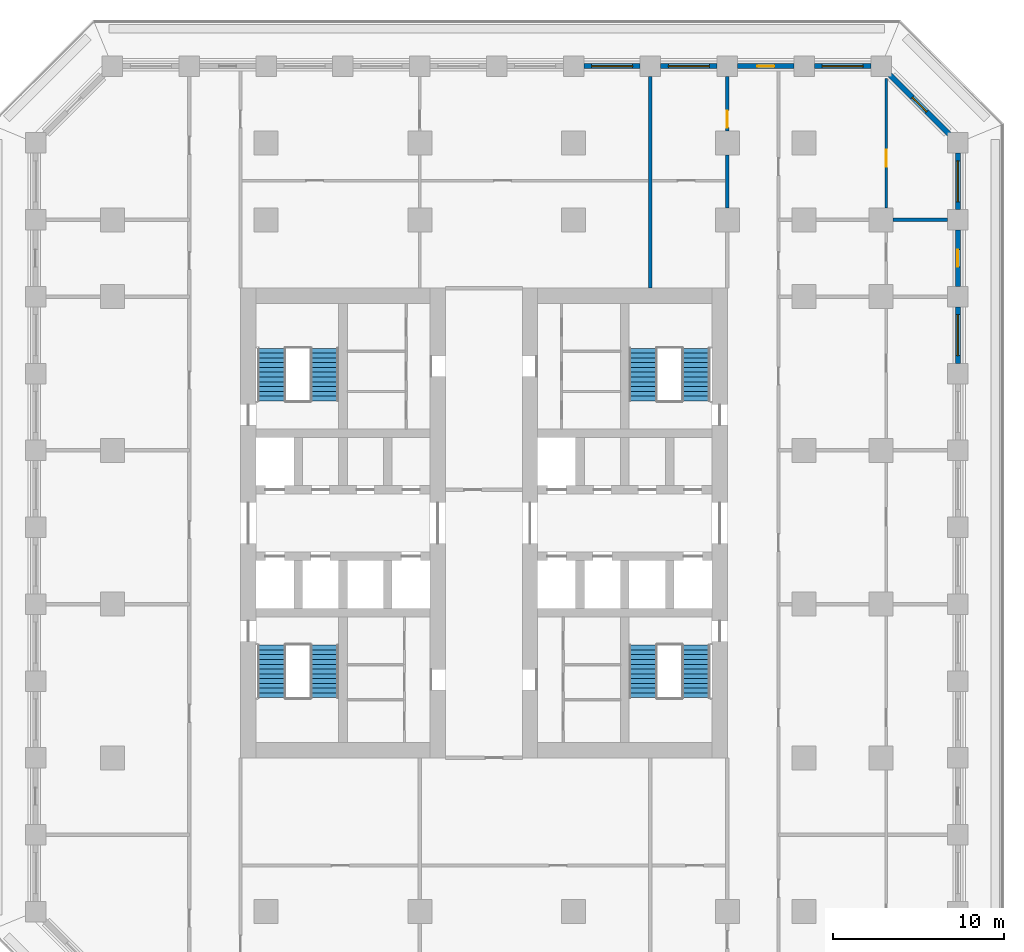
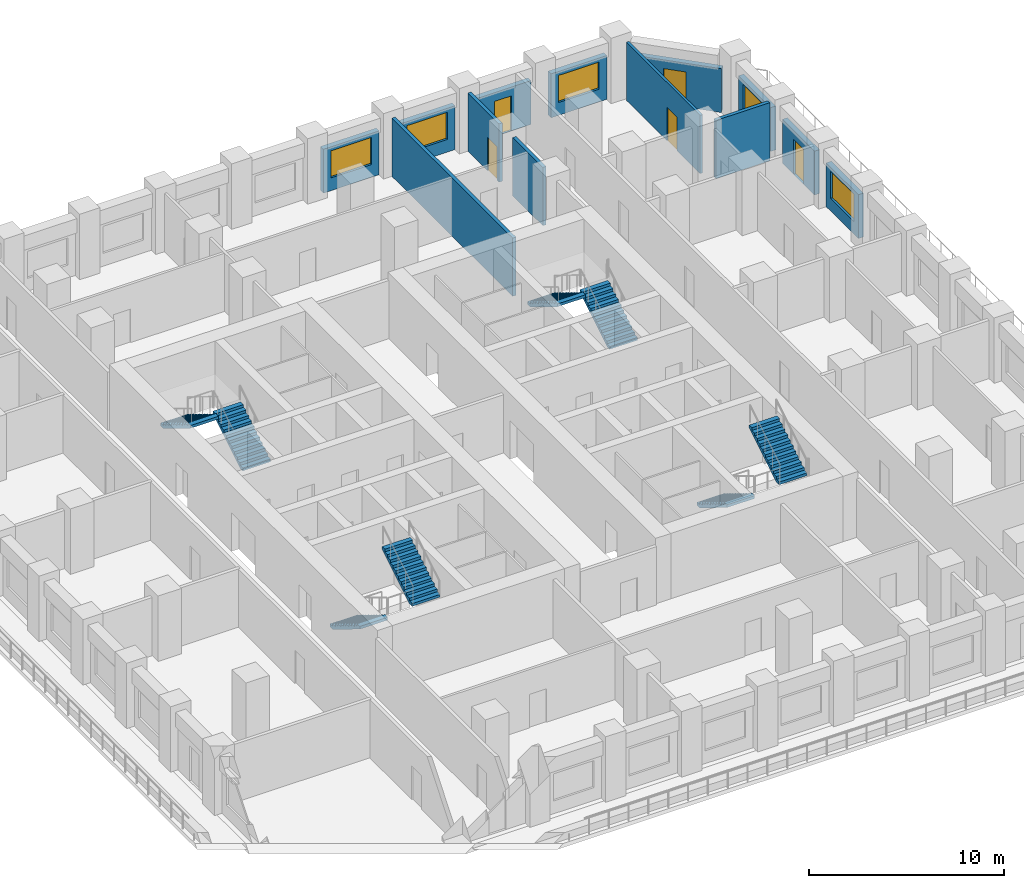
# One storey, part 8 of 17: 13 walls, 8 stair flights, 5 doors, 5 windows, 10 openings, 4 elements without a shape of their own.
"""IFC4 building model written with IfcOpenShell, lengths in metres."""

from ifc_helpers import new_model, si_unit, direction, frame, frame_2d, origin, place, context, subcontext, project, spatial, polyline, rectangle, outline, extrude, material, layer, layer_set, type_object, element, fill, aggregate, save


model = new_model("IFC4")

# Units and contexts
model_context = context("Model", 3, precision=1e-05, world=origin(), true_north=direction((0.0, 1.0)))
body_context = subcontext(model_context, "Body", "Model", "MODEL_VIEW")
ifc_project = project(units=[si_unit("LENGTHUNIT", "METRE"), si_unit("AREAUNIT", "SQUARE_METRE"), si_unit("VOLUMEUNIT", "CUBIC_METRE"), si_unit("PLANEANGLEUNIT", "RADIAN"), si_unit("MASSUNIT", "GRAM", prefix="KILO")], contexts=[model_context])

# Site, building, storey
site_placement = place(None, origin())
site = spatial("IfcSite", under=ifc_project, at=site_placement, CompositionType="ELEMENT")
building_placement = place(site_placement, origin())
building = spatial("IfcBuilding", under=site, at=building_placement, Name="Corbel Stack Research Tower", CompositionType="ELEMENT")
storey_placement = place(building_placement, frame((0.0, 0.0, 86.10009765625)))
storey = spatial("IfcBuildingStorey", under=building, at=storey_placement, Name="L19", CompositionType="ELEMENT", Elevation=86.10009765625)

# Walls
ifc_material_1 = material(Name="Fire-rated gypsum board partition on steel studs", Category="steel")
ifc_layer_1 = layer(ifc_material_1, 0.199951171875)
ifc_layer_set_1 = layer_set([ifc_layer_1], Name="Fire-rated gypsum board partition on steel studs")
wall_type_1 = type_object("IfcWallType", Name="Fire-rated partition 200 EI 60", PredefinedType="PARTITIONING", material=ifc_layer_set_1)
wall_1_placement = place(storey_placement, frame((13.5, 18.5, 0.0), z_axis=(0.0, 0.0, 1.0), x_axis=(0.0, 1.0, 0.0)))
element("IfcWall", 1, at=wall_1_placement, inside=storey, type_object=wall_type_1, Name="Partition L19-010", PredefinedType="PARTITIONING", context=body_context, shape_type="SweptSolid", body=[
    extrude(rectangle(XDim=12.39990234375, YDim=0.199951171875, at=frame_2d((6.199951171875, 0.0))), origin(), (0.0, 0.0, 1.0), 3.64990234375),
])
wall_2_placement = place(storey_placement, frame((18.0, 23.199951171875, 0.0), z_axis=(0.0, 0.0, 1.0), x_axis=(0.0, 1.0, 0.0)))
element("IfcWall", 2, at=wall_2_placement, inside=storey, type_object=wall_type_1, Name="Partition L19-014", PredefinedType="PARTITIONING", context=body_context, shape_type="SweptSolid", body=[
    extrude(rectangle(XDim=3.10009765625, YDim=0.199951171875, at=frame_2d((1.550048828125, 0.0))), origin(), (0.0, 0.0, 1.0), 3.64990234375),
])

# Wall, opening, door
wall_3_placement = place(storey_placement, frame((18.0, 27.699951171875, 0.0), z_axis=(0.0, 0.0, 1.0), x_axis=(0.0, 1.0, 0.0)))
wall_3 = element("IfcWall", 3, at=wall_3_placement, inside=storey, type_object=wall_type_1, Name="Partition L19-015", PredefinedType="PARTITIONING", context=body_context, shape_type="SweptSolid", body=[
    extrude(rectangle(XDim=3.199951171875, YDim=0.199951171875, at=frame_2d((1.60009765625, 0.0))), origin(), (0.0, 0.0, 1.0), 3.64990234375),
])
opening_1_placement = place(wall_3_placement, frame((0.199951171875, 0.0, 0.0)))
opening_1 = element("IfcOpeningElement", 4, at=opening_1_placement, cuts=wall_3, Name="Opening B3V1-016", PredefinedType="OPENING", context=body_context, shape_type="SweptSolid", body=[
    extrude(rectangle(XDim=1.0, YDim=2.10009765625, at=frame_2d((0.5, 1.050048828125))), frame((0.0, 0.10986328125, 0.0), z_axis=(0.0, -1.0, 0.0), x_axis=(1.0, 0.0, 0.0)), (0.0, 0.0, 1.0), 0.219970703125),
])
ifc_material_2 = material(Name="Painted steel fire door", Category="steel")
door_type_1 = type_object("IfcDoorType", Name="Fire door FD30S 1000 x 2100", OperationType="NOTDEFINED", PredefinedType="DOOR", material=ifc_material_2)
door_1_placement = place(opening_1_placement, origin())
door_1 = element("IfcDoor", 5, at=door_1_placement, inside=storey, type_object=door_type_1, Name="Door B3V1-016", OperationType="SINGLE_SWING_LEFT", OverallHeight=2.10009765625, OverallWidth=1.0, PredefinedType="DOOR", context=body_context, shape_type="SweptSolid", body=[
    extrude(rectangle(XDim=1.0, YDim=2.10009765625, at=frame_2d((0.5, 1.050048828125))), frame((0.0, 0.02490234375, 0.0), z_axis=(0.0, -1.0, 0.0), x_axis=(1.0, 0.0, 0.0)), (0.0, 0.0, 1.0), 0.050048828125),
])
fill(opening_1, door_1)

# Wall
wall_4_placement = place(storey_placement, frame((27.699951171875, 22.5, 0.0), z_axis=(0.0, 0.0, 1.0), x_axis=(1.0, 0.0, 0.0)))
element("IfcWall", 6, at=wall_4_placement, inside=storey, type_object=wall_type_1, Name="Partition L19-048", PredefinedType="PARTITIONING", context=body_context, shape_type="SweptSolid", body=[
    extrude(rectangle(XDim=3.199951171875, YDim=0.199951171875, at=frame_2d((1.60009765625, 0.0))), origin(), (0.0, 0.0, 1.0), 3.64990234375),
])

# Wall, opening, door
ifc_material_3 = material(Name="Gypsum board partition on steel studs", Category="steel")
ifc_layer_2 = layer(ifc_material_3, 0.14990234375)
ifc_layer_set_2 = layer_set([ifc_layer_2], Name="Gypsum board partition on steel studs")
wall_type_2 = type_object("IfcWallType", Name="Partition 150", PredefinedType="PARTITIONING", material=ifc_layer_set_2)
wall_5_placement = place(storey_placement, frame((27.300048828125, 30.777099609375, 0.0), z_axis=(0.0, 0.0, 1.0), x_axis=(0.0, -1.0, 0.0)))
wall_5 = element("IfcWall", 7, at=wall_5_placement, inside=storey, type_object=wall_type_2, Name="Partition L19-022", PredefinedType="PARTITIONING", context=body_context, shape_type="SweptSolid", body=[
    extrude(rectangle(XDim=7.5771484375, YDim=0.14990234375, at=frame_2d((3.78857421875, 0.0))), origin(), (0.0, 0.0, 1.0), 3.64990234375),
])
opening_2_placement = place(wall_5_placement, frame((4.17724609375, 0.0, 0.0)))
opening_2 = element("IfcOpeningElement", 8, at=opening_2_placement, cuts=wall_5, Name="Opening B3V1-031", PredefinedType="OPENING", context=body_context, shape_type="SweptSolid", body=[
    extrude(rectangle(XDim=1.0, YDim=2.10009765625, at=frame_2d((0.5, 1.050048828125))), frame((0.0, 0.0849609375, 0.0), z_axis=(0.0, -1.0, 0.0), x_axis=(1.0, 0.0, 0.0)), (0.0, 0.0, 1.0), 0.169921875),
])
ifc_material_4 = material(Name="Painted timber door", Category="wood")
door_type_2 = type_object("IfcDoorType", Name="Single door 1000 x 2100", OperationType="NOTDEFINED", PredefinedType="DOOR", material=ifc_material_4)
door_2_placement = place(opening_2_placement, origin())
door_2 = element("IfcDoor", 9, at=door_2_placement, inside=storey, type_object=door_type_2, Name="Door B3V1-031", OperationType="SINGLE_SWING_RIGHT", OverallHeight=2.10009765625, OverallWidth=1.0, PredefinedType="DOOR", context=body_context, shape_type="SweptSolid", body=[
    extrude(rectangle(XDim=1.0, YDim=2.10009765625, at=frame_2d((0.5, 1.050048828125))), frame((0.0, 0.02490234375, 0.0), z_axis=(0.0, -1.0, 0.0), x_axis=(1.0, 0.0, 0.0)), (0.0, 0.0, 1.0), 0.050048828125),
])
fill(opening_2, door_2)

# Wall, opening, window
ifc_material_5 = material(Name="Concrete C45/55", Category="concrete")
ifc_layer_3 = layer(ifc_material_5, 0.300048828125)
ifc_layer_set_3 = layer_set([ifc_layer_3], Name="Concrete C45/55")
wall_type_3 = type_object("IfcWallType", Name="Terracotta-faced concrete wall 300", PredefinedType="SOLIDWALL", material=ifc_layer_set_3)
wall_6_placement = place(storey_placement, frame((31.5, 17.39990234375, 0.0), z_axis=(0.0, 0.0, 1.0), x_axis=(0.0, -1.0, 0.0)))
wall_6 = element("IfcWall", 10, at=wall_6_placement, inside=storey, type_object=wall_type_3, Name="Facade wall L19 E08", PredefinedType="SOLIDWALL", context=body_context, shape_type="SweptSolid", body=[
    extrude(rectangle(XDim=3.2998046875, YDim=0.300048828125, at=frame_2d((1.64990234375, 0.0))), origin(), (0.0, 0.0, 1.0), 2.75),
])
opening_3_placement = place(wall_6_placement, frame((0.449951171875, 0.0, 0.800048828125)))
opening_3 = element("IfcOpeningElement", 11, at=opening_3_placement, cuts=wall_6, Name="Opening W1", PredefinedType="OPENING", context=body_context, shape_type="SweptSolid", body=[
    extrude(rectangle(XDim=2.39990234375, YDim=1.699951171875, at=frame_2d((1.199951171875, 0.85009765625))), frame((0.0, 0.159912109375, 0.0), z_axis=(0.0, -1.0, 0.0), x_axis=(1.0, 0.0, 0.0)), (0.0, 0.0, 1.0), 0.320068359375),
])
ifc_material_6 = material(Name="Aluminium frame, clear double glazing", Category="aluminium")
window_type = type_object("IfcWindowType", Name="Window W1 2400 x 1700", PartitioningType="SINGLE_PANEL", PredefinedType="WINDOW", material=ifc_material_6)
window_1_placement = place(opening_3_placement, origin())
window_1 = element("IfcWindow", 12, at=window_1_placement, inside=storey, type_object=window_type, Name="Window W1 L19 E08", OverallHeight=1.699951171875, OverallWidth=2.39990234375, PartitioningType="SINGLE_PANEL", PredefinedType="WINDOW", context=body_context, shape_type="SweptSolid", body=[
    extrude(rectangle(XDim=2.39990234375, YDim=1.699951171875, at=frame_2d((1.199951171875, 0.85009765625))), frame((0.0, 0.030029296875, 0.0), z_axis=(0.0, -1.0, 0.0), x_axis=(1.0, 0.0, 0.0)), (0.0, 0.0, 1.0), 0.06005859375),
])
fill(opening_3, window_1)

# Wall, opening, door
wall_7_placement = place(storey_placement, frame((31.5, 21.89990234375, 0.0), z_axis=(0.0, 0.0, 1.0), x_axis=(0.0, -1.0, 0.0)))
wall_7 = element("IfcWall", 13, at=wall_7_placement, inside=storey, type_object=wall_type_3, Name="Facade wall L19 E09", PredefinedType="SOLIDWALL", context=body_context, shape_type="SweptSolid", body=[
    extrude(rectangle(XDim=3.2998046875, YDim=0.300048828125, at=frame_2d((1.64990234375, 0.0))), origin(), (0.0, 0.0, 1.0), 2.75),
])
opening_4_placement = place(wall_7_placement, frame((1.14990234375, 0.0, 0.0)))
opening_4 = element("IfcOpeningElement", 14, at=opening_4_placement, cuts=wall_7, Name="Opening L19-B05", PredefinedType="OPENING", context=body_context, shape_type="SweptSolid", body=[
    extrude(rectangle(XDim=1.0, YDim=2.199951171875, at=frame_2d((0.5, 1.10009765625))), frame((0.0, 0.159912109375, 0.0), z_axis=(0.0, -1.0, 0.0), x_axis=(1.0, 0.0, 0.0)), (0.0, 0.0, 1.0), 0.320068359375),
])
ifc_material_7 = material(Name="Aluminium frame, clear double glazing", Category="aluminium")
door_type_3 = type_object("IfcDoorType", Name="Balcony door BD1 1000 x 2200", OperationType="NOTDEFINED", PredefinedType="DOOR", material=ifc_material_7)
door_3_placement = place(opening_4_placement, origin())
door_3 = element("IfcDoor", 15, at=door_3_placement, inside=storey, type_object=door_type_3, Name="Balcony door L19-B05", OperationType="SINGLE_SWING_RIGHT", OverallHeight=2.199951171875, OverallWidth=1.0, PredefinedType="DOOR", context=body_context, shape_type="SweptSolid", body=[
    extrude(rectangle(XDim=1.0, YDim=2.199951171875, at=frame_2d((0.5, 1.10009765625))), frame((0.0, 0.02490234375, 0.0), z_axis=(0.0, -1.0, 0.0), x_axis=(1.0, 0.0, 0.0)), (0.0, 0.0, 1.0), 0.050048828125),
])
fill(opening_4, door_3)

# Wall, opening, window
wall_8_placement = place(storey_placement, frame((31.5, 26.39990234375, 0.0), z_axis=(0.0, 0.0, 1.0), x_axis=(0.0, -1.0, 0.0)))
wall_8 = element("IfcWall", 16, at=wall_8_placement, inside=storey, type_object=wall_type_3, Name="Facade wall L19 E10", PredefinedType="SOLIDWALL", context=body_context, shape_type="SweptSolid", body=[
    extrude(rectangle(XDim=3.2998046875, YDim=0.300048828125, at=frame_2d((1.64990234375, 0.0))), origin(), (0.0, 0.0, 1.0), 2.75),
])
opening_5_placement = place(wall_8_placement, frame((0.449951171875, 0.0, 0.800048828125)))
opening_5 = element("IfcOpeningElement", 17, at=opening_5_placement, cuts=wall_8, Name="Opening W1", PredefinedType="OPENING", context=body_context, shape_type="SweptSolid", body=[
    extrude(rectangle(XDim=2.39990234375, YDim=1.699951171875, at=frame_2d((1.199951171875, 0.85009765625))), frame((0.0, 0.159912109375, 0.0), z_axis=(0.0, -1.0, 0.0), x_axis=(1.0, 0.0, 0.0)), (0.0, 0.0, 1.0), 0.320068359375),
])
window_2_placement = place(opening_5_placement, origin())
window_2 = element("IfcWindow", 18, at=window_2_placement, inside=storey, type_object=window_type, Name="Window W1 L19 E10", OverallHeight=1.699951171875, OverallWidth=2.39990234375, PartitioningType="SINGLE_PANEL", PredefinedType="WINDOW", context=body_context, shape_type="SweptSolid", body=[
    extrude(rectangle(XDim=2.39990234375, YDim=1.699951171875, at=frame_2d((1.199951171875, 0.85009765625))), frame((0.0, 0.030029296875, 0.0), z_axis=(0.0, -1.0, 0.0), x_axis=(1.0, 0.0, 0.0)), (0.0, 0.0, 1.0), 0.06005859375),
])
fill(opening_5, window_2)

# Wall, opening, door
wall_9_placement = place(storey_placement, frame((27.493896484375, 31.006103515625, 0.0), z_axis=(0.0, 0.0, 1.0), x_axis=(0.707106781187, -0.707106781187, 0.0)))
wall_9 = element("IfcWall", 19, at=wall_9_placement, inside=storey, type_object=wall_type_3, Name="Facade wall L19 NE01", PredefinedType="SOLIDWALL", context=body_context, shape_type="SweptSolid", body=[
    extrude(rectangle(XDim=4.967041015625, YDim=0.300048828125, at=frame_2d((2.4833984375, 0.0))), origin(), (0.0, 0.0, 1.0), 2.75),
])
opening_6_placement = place(wall_9_placement, frame((1.883544921875, 0.0, 0.0)))
opening_6 = element("IfcOpeningElement", 20, at=opening_6_placement, cuts=wall_9, Name="Opening L19-B06", PredefinedType="OPENING", context=body_context, shape_type="SweptSolid", body=[
    extrude(rectangle(XDim=1.199951171875, YDim=2.199951171875, at=frame_2d((0.60009765625, 1.10009765625))), frame((0.0, 0.159912109375, 0.0), z_axis=(0.0, -1.0, 0.0), x_axis=(1.0, 0.0, 0.0)), (0.0, 0.0, 1.0), 0.320068359375),
])
ifc_material_8 = material(Name="Aluminium frame, clear double glazing", Category="aluminium")
door_type_4 = type_object("IfcDoorType", Name="Balcony door BD2 1200 x 2200", OperationType="NOTDEFINED", PredefinedType="DOOR", material=ifc_material_8)
door_4_placement = place(opening_6_placement, origin())
door_4 = element("IfcDoor", 21, at=door_4_placement, inside=storey, type_object=door_type_4, Name="Balcony door L19-B06", OperationType="SINGLE_SWING_RIGHT", OverallHeight=2.199951171875, OverallWidth=1.199951171875, PredefinedType="DOOR", context=body_context, shape_type="SweptSolid", body=[
    extrude(rectangle(XDim=1.199951171875, YDim=2.199951171875, at=frame_2d((0.60009765625, 1.10009765625))), frame((0.0, 0.02490234375, 0.0), z_axis=(0.0, -1.0, 0.0), x_axis=(1.0, 0.0, 0.0)), (0.0, 0.0, 1.0), 0.050048828125),
])
fill(opening_6, door_4)

# Wall, opening, window
wall_10_placement = place(storey_placement, frame((23.10009765625, 31.5, 0.0), z_axis=(0.0, 0.0, 1.0), x_axis=(1.0, 0.0, 0.0)))
wall_10 = element("IfcWall", 22, at=wall_10_placement, inside=storey, type_object=wall_type_3, Name="Facade wall L19 N01", PredefinedType="SOLIDWALL", context=body_context, shape_type="SweptSolid", body=[
    extrude(rectangle(XDim=3.2998046875, YDim=0.300048828125, at=frame_2d((1.64990234375, 0.0))), origin(), (0.0, 0.0, 1.0), 2.75),
])
opening_7_placement = place(wall_10_placement, frame((0.449951171875, 0.0, 0.800048828125)))
opening_7 = element("IfcOpeningElement", 23, at=opening_7_placement, cuts=wall_10, Name="Opening W1", PredefinedType="OPENING", context=body_context, shape_type="SweptSolid", body=[
    extrude(rectangle(XDim=2.39990234375, YDim=1.699951171875, at=frame_2d((1.199951171875, 0.85009765625))), frame((0.0, 0.159912109375, 0.0), z_axis=(0.0, -1.0, 0.0), x_axis=(1.0, 0.0, 0.0)), (0.0, 0.0, 1.0), 0.320068359375),
])
window_3_placement = place(opening_7_placement, origin())
window_3 = element("IfcWindow", 24, at=window_3_placement, inside=storey, type_object=window_type, Name="Window W1 L19 N01", OverallHeight=1.699951171875, OverallWidth=2.39990234375, PartitioningType="SINGLE_PANEL", PredefinedType="WINDOW", context=body_context, shape_type="SweptSolid", body=[
    extrude(rectangle(XDim=2.39990234375, YDim=1.699951171875, at=frame_2d((1.199951171875, 0.85009765625))), frame((0.0, 0.030029296875, 0.0), z_axis=(0.0, -1.0, 0.0), x_axis=(1.0, 0.0, 0.0)), (0.0, 0.0, 1.0), 0.06005859375),
])
fill(opening_7, window_3)

# Wall, opening, door
wall_11_placement = place(storey_placement, frame((18.60009765625, 31.5, 0.0), z_axis=(0.0, 0.0, 1.0), x_axis=(1.0, 0.0, 0.0)))
wall_11 = element("IfcWall", 25, at=wall_11_placement, inside=storey, type_object=wall_type_3, Name="Facade wall L19 N02", PredefinedType="SOLIDWALL", context=body_context, shape_type="SweptSolid", body=[
    extrude(rectangle(XDim=3.2998046875, YDim=0.300048828125, at=frame_2d((1.64990234375, 0.0))), origin(), (0.0, 0.0, 1.0), 2.75),
])
opening_8_placement = place(wall_11_placement, frame((1.14990234375, 0.0, 0.0)))
opening_8 = element("IfcOpeningElement", 26, at=opening_8_placement, cuts=wall_11, Name="Opening L19-B07", PredefinedType="OPENING", context=body_context, shape_type="SweptSolid", body=[
    extrude(rectangle(XDim=1.0, YDim=2.199951171875, at=frame_2d((0.5, 1.10009765625))), frame((0.0, 0.159912109375, 0.0), z_axis=(0.0, -1.0, 0.0), x_axis=(1.0, 0.0, 0.0)), (0.0, 0.0, 1.0), 0.320068359375),
])
door_5_placement = place(opening_8_placement, origin())
door_5 = element("IfcDoor", 27, at=door_5_placement, inside=storey, type_object=door_type_3, Name="Balcony door L19-B07", OperationType="SINGLE_SWING_LEFT", OverallHeight=2.199951171875, OverallWidth=1.0, PredefinedType="DOOR", context=body_context, shape_type="SweptSolid", body=[
    extrude(rectangle(XDim=1.0, YDim=2.199951171875, at=frame_2d((0.5, 1.10009765625))), frame((0.0, 0.02490234375, 0.0), z_axis=(0.0, -1.0, 0.0), x_axis=(1.0, 0.0, 0.0)), (0.0, 0.0, 1.0), 0.050048828125),
])
fill(opening_8, door_5)

# Wall, opening, window
wall_12_placement = place(storey_placement, frame((14.10009765625, 31.5, 0.0), z_axis=(0.0, 0.0, 1.0), x_axis=(1.0, 0.0, 0.0)))
wall_12 = element("IfcWall", 28, at=wall_12_placement, inside=storey, type_object=wall_type_3, Name="Facade wall L19 N03", PredefinedType="SOLIDWALL", context=body_context, shape_type="SweptSolid", body=[
    extrude(rectangle(XDim=3.2998046875, YDim=0.300048828125, at=frame_2d((1.64990234375, 0.0))), origin(), (0.0, 0.0, 1.0), 2.75),
])
opening_9_placement = place(wall_12_placement, frame((0.449951171875, 0.0, 0.800048828125)))
opening_9 = element("IfcOpeningElement", 29, at=opening_9_placement, cuts=wall_12, Name="Opening W1", PredefinedType="OPENING", context=body_context, shape_type="SweptSolid", body=[
    extrude(rectangle(XDim=2.39990234375, YDim=1.699951171875, at=frame_2d((1.199951171875, 0.85009765625))), frame((0.0, 0.159912109375, 0.0), z_axis=(0.0, -1.0, 0.0), x_axis=(1.0, 0.0, 0.0)), (0.0, 0.0, 1.0), 0.320068359375),
])
window_4_placement = place(opening_9_placement, origin())
window_4 = element("IfcWindow", 30, at=window_4_placement, inside=storey, type_object=window_type, Name="Window W1 L19 N03", OverallHeight=1.699951171875, OverallWidth=2.39990234375, PartitioningType="SINGLE_PANEL", PredefinedType="WINDOW", context=body_context, shape_type="SweptSolid", body=[
    extrude(rectangle(XDim=2.39990234375, YDim=1.699951171875, at=frame_2d((1.199951171875, 0.85009765625))), frame((0.0, 0.030029296875, 0.0), z_axis=(0.0, -1.0, 0.0), x_axis=(1.0, 0.0, 0.0)), (0.0, 0.0, 1.0), 0.06005859375),
])
fill(opening_9, window_4)

wall_13_placement = place(storey_placement, frame((9.60009765625, 31.5, 0.0), z_axis=(0.0, 0.0, 1.0), x_axis=(1.0, 0.0, 0.0)))
wall_13 = element("IfcWall", 31, at=wall_13_placement, inside=storey, type_object=wall_type_3, Name="Facade wall L19 N04", PredefinedType="SOLIDWALL", context=body_context, shape_type="SweptSolid", body=[
    extrude(rectangle(XDim=3.2998046875, YDim=0.300048828125, at=frame_2d((1.64990234375, 0.0))), origin(), (0.0, 0.0, 1.0), 2.75),
])
opening_10_placement = place(wall_13_placement, frame((0.449951171875, 0.0, 0.800048828125)))
opening_10 = element("IfcOpeningElement", 32, at=opening_10_placement, cuts=wall_13, Name="Opening W1", PredefinedType="OPENING", context=body_context, shape_type="SweptSolid", body=[
    extrude(rectangle(XDim=2.39990234375, YDim=1.699951171875, at=frame_2d((1.199951171875, 0.85009765625))), frame((0.0, 0.159912109375, 0.0), z_axis=(0.0, -1.0, 0.0), x_axis=(1.0, 0.0, 0.0)), (0.0, 0.0, 1.0), 0.320068359375),
])
window_5_placement = place(opening_10_placement, origin())
window_5 = element("IfcWindow", 33, at=window_5_placement, inside=storey, type_object=window_type, Name="Window W1 L19 N04", OverallHeight=1.699951171875, OverallWidth=2.39990234375, PartitioningType="SINGLE_PANEL", PredefinedType="WINDOW", context=body_context, shape_type="SweptSolid", body=[
    extrude(rectangle(XDim=2.39990234375, YDim=1.699951171875, at=frame_2d((1.199951171875, 0.85009765625))), frame((0.0, 0.030029296875, 0.0), z_axis=(0.0, -1.0, 0.0), x_axis=(1.0, 0.0, 0.0)), (0.0, 0.0, 1.0), 0.06005859375),
])
fill(opening_10, window_5)

# Stair, stair flights
ifc_material_9 = material(Name="Concrete C40/50", Category="concrete")
stair_type = type_object("IfcStairType", Name="Exit stair 24 risers", PredefinedType="HALF_TURN_STAIR", material=ifc_material_9)
stair_1_placement = place(storey_placement, origin())
stair_1 = element("IfcStair", 34, at=stair_1_placement, inside=storey, type_object=stair_type, Name="L19 Exit stair ST-W1", PredefinedType="HALF_TURN_STAIR")
ifc_material_10 = material(Name="Concrete C40/50", Category="concrete")
stair_flight_type = type_object("IfcStairFlightType", Name="Stair flight 12 risers", PredefinedType="STRAIGHT", material=ifc_material_10)
stair_flight_1_placement = place(storey_placement, frame((-8.675048828125, -2.39990234375, 0.0), z_axis=(0.0, 0.0, 1.0), x_axis=(0.0, -1.0, 0.0)))
stair_flight_1 = element("IfcStairFlight", 35, at=stair_flight_1_placement, type_object=stair_flight_type, Name="ST-W1 flight 1", NumberOfRisers=12, NumberOfTreads=11, PredefinedType="STRAIGHT", RiserHeight=0.170833333, TreadLength=0.28, context=body_context, shape_type="SweptSolid", body=[
    extrude(outline(polyline([(0.0, 0.0), (0.0, 0.1708984375), (0.280029296875, 0.1708984375), (0.280029296875, 0.341552734375), (0.56005859375, 0.341552734375), (0.56005859375, 0.512451171875), (0.840087890625, 0.512451171875), (0.840087890625, 0.683349609375), (1.1201171875, 0.683349609375), (1.1201171875, 0.854248046875), (1.39990234375, 0.854248046875), (1.39990234375, 1.02490234375), (1.679931640625, 1.02490234375), (1.679931640625, 1.19580078125), (1.9599609375, 1.19580078125), (1.9599609375, 1.36669921875), (2.239990234375, 1.36669921875), (2.239990234375, 1.53759765625), (2.52001953125, 1.53759765625), (2.52001953125, 1.708251953125), (2.800048828125, 1.708251953125), (2.800048828125, 1.879150390625), (3.080078125, 1.879150390625), (3.080078125, 2.050048828125), (3.080078125, 1.70361328125), (0.287841796875, 0.0), (0.0, 0.0)])), frame((0.0, 0.824951171875, 0.0), z_axis=(0.0, -1.0, 0.0), x_axis=(1.0, 0.0, 0.0)), (0.0, 0.0, 1.0), 1.64990234375),
])
stair_flight_2_placement = place(storey_placement, frame((-5.574951171875, -5.47998046875, 2.0498046875), z_axis=(0.0, 0.0, 1.0), x_axis=(0.0, 1.0, 0.0)))
stair_flight_2 = element("IfcStairFlight", 36, at=stair_flight_2_placement, type_object=stair_flight_type, Name="ST-W1 flight 2", NumberOfRisers=12, NumberOfTreads=11, PredefinedType="STRAIGHT", RiserHeight=0.170833333, TreadLength=0.28, context=body_context, shape_type="SweptSolid", body=[
    extrude(outline(polyline([(0.0, 0.0), (0.0, 0.1708984375), (0.280029296875, 0.1708984375), (0.280029296875, 0.341552734375), (0.56005859375, 0.341552734375), (0.56005859375, 0.512451171875), (0.840087890625, 0.512451171875), (0.840087890625, 0.683349609375), (1.1201171875, 0.683349609375), (1.1201171875, 0.854248046875), (1.39990234375, 0.854248046875), (1.39990234375, 1.02490234375), (1.679931640625, 1.02490234375), (1.679931640625, 1.19580078125), (1.9599609375, 1.19580078125), (1.9599609375, 1.36669921875), (2.239990234375, 1.36669921875), (2.239990234375, 1.53759765625), (2.52001953125, 1.53759765625), (2.52001953125, 1.708251953125), (2.800048828125, 1.708251953125), (2.800048828125, 1.879150390625), (3.080078125, 1.879150390625), (3.080078125, 2.050048828125), (3.080078125, 1.70361328125), (0.287841796875, 0.0), (0.0, 0.0)])), frame((0.0, 0.824951171875, 0.0), z_axis=(0.0, -1.0, 0.0), x_axis=(1.0, 0.0, 0.0)), (0.0, 0.0, 1.0), 1.64990234375),
])
aggregate(stair_1, [stair_flight_1, stair_flight_2])

stair_2_placement = place(storey_placement, origin())
stair_2 = element("IfcStair", 37, at=stair_2_placement, inside=storey, type_object=stair_type, Name="L19 Exit stair ST-W2", PredefinedType="HALF_TURN_STAIR")
stair_flight_3_placement = place(storey_placement, frame((-5.574951171875, 11.89990234375, 0.0), z_axis=(0.0, 0.0, 1.0), x_axis=(0.0, 1.0, 0.0)))
stair_flight_3 = element("IfcStairFlight", 38, at=stair_flight_3_placement, type_object=stair_flight_type, Name="ST-W2 flight 1", NumberOfRisers=12, NumberOfTreads=11, PredefinedType="STRAIGHT", RiserHeight=0.170833333, TreadLength=0.28, context=body_context, shape_type="SweptSolid", body=[
    extrude(outline(polyline([(0.0, 0.0), (0.0, 0.1708984375), (0.280029296875, 0.1708984375), (0.280029296875, 0.341552734375), (0.56005859375, 0.341552734375), (0.56005859375, 0.512451171875), (0.840087890625, 0.512451171875), (0.840087890625, 0.683349609375), (1.1201171875, 0.683349609375), (1.1201171875, 0.854248046875), (1.39990234375, 0.854248046875), (1.39990234375, 1.02490234375), (1.679931640625, 1.02490234375), (1.679931640625, 1.19580078125), (1.9599609375, 1.19580078125), (1.9599609375, 1.36669921875), (2.239990234375, 1.36669921875), (2.239990234375, 1.53759765625), (2.52001953125, 1.53759765625), (2.52001953125, 1.708251953125), (2.800048828125, 1.708251953125), (2.800048828125, 1.879150390625), (3.080078125, 1.879150390625), (3.080078125, 2.050048828125), (3.080078125, 1.70361328125), (0.287841796875, 0.0), (0.0, 0.0)])), frame((0.0, 0.824951171875, 0.0), z_axis=(0.0, -1.0, 0.0), x_axis=(1.0, 0.0, 0.0)), (0.0, 0.0, 1.0), 1.64990234375),
])
stair_flight_4_placement = place(storey_placement, frame((-8.675048828125, 14.97998046875, 2.0498046875), z_axis=(0.0, 0.0, 1.0), x_axis=(0.0, -1.0, 0.0)))
stair_flight_4 = element("IfcStairFlight", 39, at=stair_flight_4_placement, type_object=stair_flight_type, Name="ST-W2 flight 2", NumberOfRisers=12, NumberOfTreads=11, PredefinedType="STRAIGHT", RiserHeight=0.170833333, TreadLength=0.28, context=body_context, shape_type="SweptSolid", body=[
    extrude(outline(polyline([(0.0, 0.0), (0.0, 0.1708984375), (0.280029296875, 0.1708984375), (0.280029296875, 0.341552734375), (0.56005859375, 0.341552734375), (0.56005859375, 0.512451171875), (0.840087890625, 0.512451171875), (0.840087890625, 0.683349609375), (1.1201171875, 0.683349609375), (1.1201171875, 0.854248046875), (1.39990234375, 0.854248046875), (1.39990234375, 1.02490234375), (1.679931640625, 1.02490234375), (1.679931640625, 1.19580078125), (1.9599609375, 1.19580078125), (1.9599609375, 1.36669921875), (2.239990234375, 1.36669921875), (2.239990234375, 1.53759765625), (2.52001953125, 1.53759765625), (2.52001953125, 1.708251953125), (2.800048828125, 1.708251953125), (2.800048828125, 1.879150390625), (3.080078125, 1.879150390625), (3.080078125, 2.050048828125), (3.080078125, 1.70361328125), (0.287841796875, 0.0), (0.0, 0.0)])), frame((0.0, 0.824951171875, 0.0), z_axis=(0.0, -1.0, 0.0), x_axis=(1.0, 0.0, 0.0)), (0.0, 0.0, 1.0), 1.64990234375),
])
aggregate(stair_2, [stair_flight_3, stair_flight_4])

stair_3_placement = place(storey_placement, origin())
stair_3 = element("IfcStair", 40, at=stair_3_placement, inside=storey, type_object=stair_type, Name="L19 Exit stair ST-E1", PredefinedType="HALF_TURN_STAIR")
stair_flight_5_placement = place(storey_placement, frame((13.074951171875, -2.39990234375, 0.0), z_axis=(0.0, 0.0, 1.0), x_axis=(0.0, -1.0, 0.0)))
stair_flight_5 = element("IfcStairFlight", 41, at=stair_flight_5_placement, type_object=stair_flight_type, Name="ST-E1 flight 1", NumberOfRisers=12, NumberOfTreads=11, PredefinedType="STRAIGHT", RiserHeight=0.170833333, TreadLength=0.28, context=body_context, shape_type="SweptSolid", body=[
    extrude(outline(polyline([(0.0, 0.0), (0.0, 0.1708984375), (0.280029296875, 0.1708984375), (0.280029296875, 0.341552734375), (0.56005859375, 0.341552734375), (0.56005859375, 0.512451171875), (0.840087890625, 0.512451171875), (0.840087890625, 0.683349609375), (1.1201171875, 0.683349609375), (1.1201171875, 0.854248046875), (1.39990234375, 0.854248046875), (1.39990234375, 1.02490234375), (1.679931640625, 1.02490234375), (1.679931640625, 1.19580078125), (1.9599609375, 1.19580078125), (1.9599609375, 1.36669921875), (2.239990234375, 1.36669921875), (2.239990234375, 1.53759765625), (2.52001953125, 1.53759765625), (2.52001953125, 1.708251953125), (2.800048828125, 1.708251953125), (2.800048828125, 1.879150390625), (3.080078125, 1.879150390625), (3.080078125, 2.050048828125), (3.080078125, 1.70361328125), (0.287841796875, 0.0), (0.0, 0.0)])), frame((0.0, 0.824951171875, 0.0), z_axis=(0.0, -1.0, 0.0), x_axis=(1.0, 0.0, 0.0)), (0.0, 0.0, 1.0), 1.64990234375),
])
stair_flight_6_placement = place(storey_placement, frame((16.175048828125, -5.47998046875, 2.0498046875), z_axis=(0.0, 0.0, 1.0), x_axis=(0.0, 1.0, 0.0)))
stair_flight_6 = element("IfcStairFlight", 42, at=stair_flight_6_placement, type_object=stair_flight_type, Name="ST-E1 flight 2", NumberOfRisers=12, NumberOfTreads=11, PredefinedType="STRAIGHT", RiserHeight=0.170833333, TreadLength=0.28, context=body_context, shape_type="SweptSolid", body=[
    extrude(outline(polyline([(0.0, 0.0), (0.0, 0.1708984375), (0.280029296875, 0.1708984375), (0.280029296875, 0.341552734375), (0.56005859375, 0.341552734375), (0.56005859375, 0.512451171875), (0.840087890625, 0.512451171875), (0.840087890625, 0.683349609375), (1.1201171875, 0.683349609375), (1.1201171875, 0.854248046875), (1.39990234375, 0.854248046875), (1.39990234375, 1.02490234375), (1.679931640625, 1.02490234375), (1.679931640625, 1.19580078125), (1.9599609375, 1.19580078125), (1.9599609375, 1.36669921875), (2.239990234375, 1.36669921875), (2.239990234375, 1.53759765625), (2.52001953125, 1.53759765625), (2.52001953125, 1.708251953125), (2.800048828125, 1.708251953125), (2.800048828125, 1.879150390625), (3.080078125, 1.879150390625), (3.080078125, 2.050048828125), (3.080078125, 1.70361328125), (0.287841796875, 0.0), (0.0, 0.0)])), frame((0.0, 0.824951171875, 0.0), z_axis=(0.0, -1.0, 0.0), x_axis=(1.0, 0.0, 0.0)), (0.0, 0.0, 1.0), 1.64990234375),
])
aggregate(stair_3, [stair_flight_5, stair_flight_6])

stair_4_placement = place(storey_placement, origin())
stair_4 = element("IfcStair", 43, at=stair_4_placement, inside=storey, type_object=stair_type, Name="L19 Exit stair ST-E2", PredefinedType="HALF_TURN_STAIR")
stair_flight_7_placement = place(storey_placement, frame((16.175048828125, 11.89990234375, 0.0), z_axis=(0.0, 0.0, 1.0), x_axis=(0.0, 1.0, 0.0)))
stair_flight_7 = element("IfcStairFlight", 44, at=stair_flight_7_placement, type_object=stair_flight_type, Name="ST-E2 flight 1", NumberOfRisers=12, NumberOfTreads=11, PredefinedType="STRAIGHT", RiserHeight=0.170833333, TreadLength=0.28, context=body_context, shape_type="SweptSolid", body=[
    extrude(outline(polyline([(0.0, 0.0), (0.0, 0.1708984375), (0.280029296875, 0.1708984375), (0.280029296875, 0.341552734375), (0.56005859375, 0.341552734375), (0.56005859375, 0.512451171875), (0.840087890625, 0.512451171875), (0.840087890625, 0.683349609375), (1.1201171875, 0.683349609375), (1.1201171875, 0.854248046875), (1.39990234375, 0.854248046875), (1.39990234375, 1.02490234375), (1.679931640625, 1.02490234375), (1.679931640625, 1.19580078125), (1.9599609375, 1.19580078125), (1.9599609375, 1.36669921875), (2.239990234375, 1.36669921875), (2.239990234375, 1.53759765625), (2.52001953125, 1.53759765625), (2.52001953125, 1.708251953125), (2.800048828125, 1.708251953125), (2.800048828125, 1.879150390625), (3.080078125, 1.879150390625), (3.080078125, 2.050048828125), (3.080078125, 1.70361328125), (0.287841796875, 0.0), (0.0, 0.0)])), frame((0.0, 0.824951171875, 0.0), z_axis=(0.0, -1.0, 0.0), x_axis=(1.0, 0.0, 0.0)), (0.0, 0.0, 1.0), 1.64990234375),
])
stair_flight_8_placement = place(storey_placement, frame((13.074951171875, 14.97998046875, 2.0498046875), z_axis=(0.0, 0.0, 1.0), x_axis=(0.0, -1.0, 0.0)))
stair_flight_8 = element("IfcStairFlight", 45, at=stair_flight_8_placement, type_object=stair_flight_type, Name="ST-E2 flight 2", NumberOfRisers=12, NumberOfTreads=11, PredefinedType="STRAIGHT", RiserHeight=0.170833333, TreadLength=0.28, context=body_context, shape_type="SweptSolid", body=[
    extrude(outline(polyline([(0.0, 0.0), (0.0, 0.1708984375), (0.280029296875, 0.1708984375), (0.280029296875, 0.341552734375), (0.56005859375, 0.341552734375), (0.56005859375, 0.512451171875), (0.840087890625, 0.512451171875), (0.840087890625, 0.683349609375), (1.1201171875, 0.683349609375), (1.1201171875, 0.854248046875), (1.39990234375, 0.854248046875), (1.39990234375, 1.02490234375), (1.679931640625, 1.02490234375), (1.679931640625, 1.19580078125), (1.9599609375, 1.19580078125), (1.9599609375, 1.36669921875), (2.239990234375, 1.36669921875), (2.239990234375, 1.53759765625), (2.52001953125, 1.53759765625), (2.52001953125, 1.708251953125), (2.800048828125, 1.708251953125), (2.800048828125, 1.879150390625), (3.080078125, 1.879150390625), (3.080078125, 2.050048828125), (3.080078125, 1.70361328125), (0.287841796875, 0.0), (0.0, 0.0)])), frame((0.0, 0.824951171875, 0.0), z_axis=(0.0, -1.0, 0.0), x_axis=(1.0, 0.0, 0.0)), (0.0, 0.0, 1.0), 1.64990234375),
])
aggregate(stair_4, [stair_flight_7, stair_flight_8])

save(model, "model.ifc")
